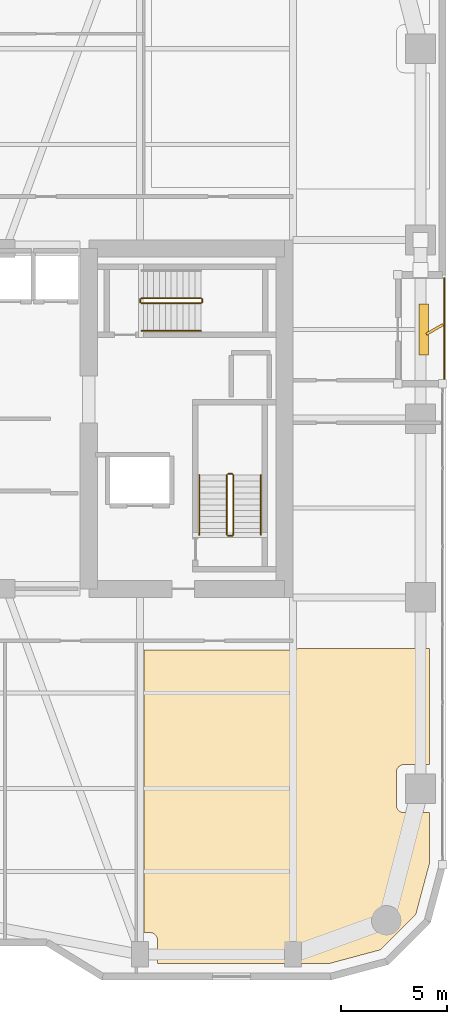
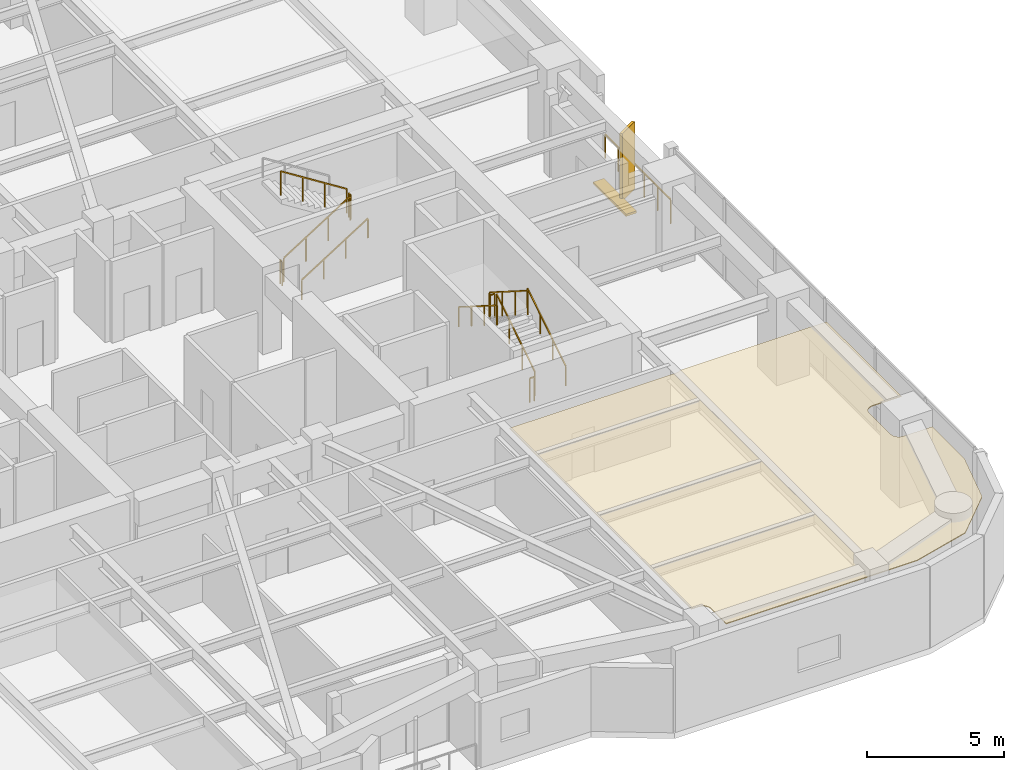
# One storey, part 23 of 24: 12 railings, 2 shading devices, 1 covering.
"""IFC4 building model written with IfcOpenShell, lengths in metres."""

from ifc_helpers import new_model, si_unit, direction, frame, origin, origin_2d, place, context, subcontext, project, spatial, polyline, rectangle, outline, extrude, material, layer, layer_set, type_object, element, save


model = new_model("IFC4")

# Units and contexts
model_context = context("Model", 3, precision=1e-05, world=origin(), true_north=direction((0.0, 1.0)))
body_context = subcontext(model_context, "Body", "Model", "MODEL_VIEW")
ifc_project = project(units=[si_unit("LENGTHUNIT", "METRE"), si_unit("AREAUNIT", "SQUARE_METRE"), si_unit("VOLUMEUNIT", "CUBIC_METRE"), si_unit("PLANEANGLEUNIT", "RADIAN"), si_unit("MASSUNIT", "GRAM", prefix="KILO")], contexts=[model_context])

# Site, building, storey
site_placement = place(None, origin())
site = spatial("IfcSite", under=ifc_project, at=site_placement, CompositionType="ELEMENT")
building_placement = place(site_placement, origin())
building = spatial("IfcBuilding", under=site, at=building_placement, Name="Kiyonajd Concourse Tower", CompositionType="ELEMENT")
storey_placement = place(building_placement, frame((0.0, 0.0, 137.699951171875)))
storey = spatial("IfcBuildingStorey", under=building, at=storey_placement, Name="L35", CompositionType="ELEMENT", Elevation=137.699951171875)

# Covering
ifc_material_1 = material(Name="Natural Oak Acoustic Timber Veneer", Category="wood")
ifc_layer = layer(ifc_material_1, 0.0400390625)
ifc_layer_set = layer_set([ifc_layer], Name="Natural Oak Acoustic Timber Veneer")
covering_type = type_object("IfcCoveringType", Name="CV-CLG-ACST", PredefinedType="CEILING", material=ifc_layer_set)
covering_placement = place(storey_placement, frame((0.0, 0.0, 3.4599609375)))
element("IfcCovering", 1, at=covering_placement, inside=storey, type_object=covering_type, Name="L35-43 Room Acoustic Ceiling", PredefinedType="CEILING", context=body_context, shape_type="SweptSolid", body=[
    extrude(outline(polyline([(57.22998046875, 10.3701171875), (57.22998046875, 11.47998046875), (57.222900390625, 11.548095703125), (57.202880859375, 11.614013671875), (57.1708984375, 11.674072265625), (57.126953125, 11.72705078125), (57.073974609375, 11.77099609375), (57.013916015625, 11.802978515625), (56.9140625, 11.827880859375), (56.60009765625, 11.830078125), (56.60009765625, 25.1201171875), (63.60009765625, 25.1201171875), (63.72998046875, 25.139892578125), (63.79296875, 25.166015625), (63.847900390625, 25.199951171875), (70.030029296875, 25.199951171875), (70.030029296875, 19.72998046875), (68.820068359375, 19.72998046875), (68.751953125, 19.722900390625), (68.655029296875, 19.68896484375), (68.572998046875, 19.626953125), (68.510986328125, 19.544921875), (68.485107421875, 19.48193359375), (68.471923828125, 19.4140625), (68.469970703125, 17.820068359375), (68.485107421875, 17.718017578125), (68.510986328125, 17.655029296875), (68.549072265625, 17.597900390625), (68.597900390625, 17.549072265625), (68.655029296875, 17.510986328125), (68.718017578125, 17.485107421875), (68.785888671875, 17.471923828125), (70.030029296875, 17.469970703125), (70.030029296875, 15.10107421875), (69.385986328125, 12.697998046875), (67.701904296875, 11.013916015625), (65.299072265625, 10.3701171875), (57.22998046875, 10.3701171875)])), origin(), (0.0, 0.0, 1.0), 0.0400390625),
])

# Railings
ifc_material_2 = material(Name="Thermally Broken Anodised Aluminium", Category="aluminium")
railing_type_1 = type_object("IfcRailingType", Name="RL-GRD-LOG", PredefinedType="GUARDRAIL", material=ifc_material_2)
railing_1_placement = place(storey_placement, frame((70.719970703125, 37.800048828125, 0.0)))
element("IfcRailing", 2, at=railing_1_placement, inside=storey, type_object=railing_type_1, Name="L35 Engawa Loggia Perimeter Guard LOG-E", PredefinedType="GUARDRAIL", context=body_context, shape_type="SweptSolid", body=[
    extrude(rectangle(XDim=0.048095703125, YDim=0.048095703125, at=origin_2d()), frame((0.0, 0.0, 1.076171875), z_axis=(0.0, 1.0, 0.0), x_axis=(-1.0, 0.0, 0.0)), (0.0, 0.0, 1.0), 4.800048828125),
    extrude(rectangle(XDim=0.0419921875, YDim=0.0419921875, at=origin_2d()), origin(), (0.0, 0.0, 1.0), 1.052001953125),
    extrude(rectangle(XDim=0.0419921875, YDim=0.0419921875, at=origin_2d()), frame((0.0, 0.9599609375, 0.0)), (0.0, 0.0, 1.0), 1.052001953125),
    extrude(rectangle(XDim=0.0419921875, YDim=0.0419921875, at=origin_2d()), frame((0.0, 1.919921875, 0.0)), (0.0, 0.0, 1.0), 1.052001953125),
    extrude(rectangle(XDim=0.0419921875, YDim=0.0419921875, at=origin_2d()), frame((0.0, 2.880126953125, 0.0)), (0.0, 0.0, 1.0), 1.052001953125),
    extrude(rectangle(XDim=0.0419921875, YDim=0.0419921875, at=origin_2d()), frame((0.0, 3.840087890625, 0.0)), (0.0, 0.0, 1.0), 1.052001953125),
    extrude(rectangle(XDim=0.0419921875, YDim=0.0419921875, at=origin_2d()), frame((0.0, 4.800048828125, 0.0)), (0.0, 0.0, 1.0), 1.052001953125),
])
ifc_material_3 = material(Name="Steel ASTM A500 Grade C", Category="steel")
railing_type_2 = type_object("IfcRailingType", Name="RL-GRD-STR", PredefinedType="GUARDRAIL", material=ifc_material_3)
railing_2_placement = place(storey_placement, frame((60.800048828125, 30.550048828125, 0.17724609375)))
element("IfcRailing", 3, at=railing_2_placement, inside=storey, type_object=railing_type_2, Name="L35 ST2 stair guard 1", PredefinedType="GUARDRAIL", context=body_context, shape_type="SweptSolid", body=[
    extrude(rectangle(XDim=0.048095703125, YDim=0.048095703125, at=origin_2d()), frame((0.0, 0.0, 1.076171875), z_axis=(0.0, 0.844908973607, 0.534910110503), x_axis=(-1.0, 0.0, 0.0)), (0.0, 0.0, 1.0), 3.31396484375),
    extrude(rectangle(XDim=0.0419921875, YDim=0.0419921875, at=origin_2d()), origin(), (0.0, 0.0, 1.0), 1.052001953125),
    extrude(rectangle(XDim=0.0419921875, YDim=0.0419921875, at=origin_2d()), frame((0.0, 0.933349609375, 0.5908203125)), (0.0, 0.0, 1.0), 1.052001953125),
    extrude(rectangle(XDim=0.0419921875, YDim=0.0419921875, at=origin_2d()), frame((0.0, 1.86669921875, 1.181884765625)), (0.0, 0.0, 1.0), 1.052001953125),
    extrude(rectangle(XDim=0.0419921875, YDim=0.0419921875, at=origin_2d()), frame((0.0, 2.800048828125, 1.772705078125)), (0.0, 0.0, 1.0), 1.052001953125),
])
railing_3_placement = place(storey_placement, frame((60.75, 33.39990234375, 1.949951171875)))
element("IfcRailing", 4, at=railing_3_placement, inside=storey, type_object=railing_type_2, Name="L35 ST2 stair guard 2", PredefinedType="GUARDRAIL", context=body_context, shape_type="SweptSolid", body=[
    extrude(rectangle(XDim=0.048095703125, YDim=0.048095703125, at=origin_2d()), frame((0.0, 0.0, 1.076171875), z_axis=(-1.0, 0.0, 0.0), x_axis=(0.0, -1.0, 0.0)), (0.0, 0.0, 1.0), 0.199951171875),
    extrude(rectangle(XDim=0.0419921875, YDim=0.0419921875, at=origin_2d()), origin(), (0.0, 0.0, 1.0), 1.052001953125),
    extrude(rectangle(XDim=0.0419921875, YDim=0.0419921875, at=origin_2d()), frame((-0.199951171875, 0.0, 0.0)), (0.0, 0.0, 1.0), 1.052001953125),
])
railing_4_placement = place(storey_placement, frame((60.5, 33.35009765625, 2.12744140625)))
element("IfcRailing", 5, at=railing_4_placement, inside=storey, type_object=railing_type_2, Name="L35 ST2 stair guard 3", PredefinedType="GUARDRAIL", context=body_context, shape_type="SweptSolid", body=[
    extrude(rectangle(XDim=0.048095703125, YDim=0.048095703125, at=origin_2d()), frame((0.0, 0.0, 1.076171875), z_axis=(0.0, -0.844908973607, 0.534910110503), x_axis=(1.0, 0.0, 0.0)), (0.0, 0.0, 1.0), 3.31396484375),
    extrude(rectangle(XDim=0.0419921875, YDim=0.0419921875, at=origin_2d()), origin(), (0.0, 0.0, 1.0), 1.052001953125),
    extrude(rectangle(XDim=0.0419921875, YDim=0.0419921875, at=origin_2d()), frame((0.0, -0.933349609375, 0.5908203125)), (0.0, 0.0, 1.0), 1.052001953125),
    extrude(rectangle(XDim=0.0419921875, YDim=0.0419921875, at=origin_2d()), frame((0.0, -1.86669921875, 1.181884765625)), (0.0, 0.0, 1.0), 1.052001953125),
    extrude(rectangle(XDim=0.0419921875, YDim=0.0419921875, at=origin_2d()), frame((0.0, -2.800048828125, 1.772705078125)), (0.0, 0.0, 1.0), 1.052001953125),
])
railing_5_placement = place(storey_placement, frame((60.75, 30.5, 0.0)))
element("IfcRailing", 6, at=railing_5_placement, inside=storey, type_object=railing_type_2, Name="L35 ST2 stair guard 4", PredefinedType="GUARDRAIL", context=body_context, shape_type="SweptSolid", body=[
    extrude(rectangle(XDim=0.048095703125, YDim=0.048095703125, at=origin_2d()), frame((0.0, 0.0, 1.076171875), z_axis=(-1.0, 0.0, 0.0), x_axis=(0.0, -1.0, 0.0)), (0.0, 0.0, 1.0), 0.199951171875),
    extrude(rectangle(XDim=0.0419921875, YDim=0.0419921875, at=origin_2d()), origin(), (0.0, 0.0, 1.0), 1.052001953125),
    extrude(rectangle(XDim=0.0419921875, YDim=0.0419921875, at=origin_2d()), frame((-0.199951171875, 0.0, 0.0)), (0.0, 0.0, 1.0), 1.052001953125),
])
railing_6_placement = place(storey_placement, frame((56.47998046875, 41.429931640625, 0.17724609375)))
element("IfcRailing", 7, at=railing_6_placement, inside=storey, type_object=railing_type_2, Name="L35 ST3 stair guard 1", PredefinedType="GUARDRAIL", context=body_context, shape_type="SweptSolid", body=[
    extrude(rectangle(XDim=0.048095703125, YDim=0.048095703125, at=origin_2d()), frame((0.0, 0.0, 1.076171875), z_axis=(0.844908973607, 0.0, 0.534910110503), x_axis=(0.0, 1.0, 0.0)), (0.0, 0.0, 1.0), 3.31396484375),
    extrude(rectangle(XDim=0.0419921875, YDim=0.0419921875, at=origin_2d()), origin(), (0.0, 0.0, 1.0), 1.052001953125),
    extrude(rectangle(XDim=0.0419921875, YDim=0.0419921875, at=origin_2d()), frame((0.933349609375, 0.0, 0.5908203125)), (0.0, 0.0, 1.0), 1.052001953125),
    extrude(rectangle(XDim=0.0419921875, YDim=0.0419921875, at=origin_2d()), frame((1.86669921875, 0.0, 1.181884765625)), (0.0, 0.0, 1.0), 1.052001953125),
    extrude(rectangle(XDim=0.0419921875, YDim=0.0419921875, at=origin_2d()), frame((2.800048828125, 0.0, 1.772705078125)), (0.0, 0.0, 1.0), 1.052001953125),
])
railing_7_placement = place(storey_placement, frame((59.330078125, 41.47998046875, 1.949951171875)))
element("IfcRailing", 8, at=railing_7_placement, inside=storey, type_object=railing_type_2, Name="L35 ST3 stair guard 2", PredefinedType="GUARDRAIL", context=body_context, shape_type="SweptSolid", body=[
    extrude(rectangle(XDim=0.048095703125, YDim=0.048095703125, at=origin_2d()), frame((0.0, 0.0, 1.076171875), z_axis=(0.0, 1.0, 0.0), x_axis=(-1.0, 0.0, 0.0)), (0.0, 0.0, 1.0), 0.14013671875),
    extrude(rectangle(XDim=0.0419921875, YDim=0.0419921875, at=origin_2d()), origin(), (0.0, 0.0, 1.0), 1.052001953125),
    extrude(rectangle(XDim=0.0419921875, YDim=0.0419921875, at=origin_2d()), frame((0.0, 0.14013671875, 0.0)), (0.0, 0.0, 1.0), 1.052001953125),
])
railing_8_placement = place(storey_placement, frame((59.280029296875, 41.669921875, 2.12744140625)))
element("IfcRailing", 9, at=railing_8_placement, inside=storey, type_object=railing_type_2, Name="L35 ST3 stair guard 3", PredefinedType="GUARDRAIL", context=body_context, shape_type="SweptSolid", body=[
    extrude(rectangle(XDim=0.048095703125, YDim=0.048095703125, at=origin_2d()), frame((0.0, 0.0, 1.076171875), z_axis=(-0.844908973607, 0.0, 0.534910110503), x_axis=(0.0, -1.0, 0.0)), (0.0, 0.0, 1.0), 3.31396484375),
    extrude(rectangle(XDim=0.0419921875, YDim=0.0419921875, at=origin_2d()), origin(), (0.0, 0.0, 1.0), 1.052001953125),
    extrude(rectangle(XDim=0.0419921875, YDim=0.0419921875, at=origin_2d()), frame((-0.933349609375, 0.0, 0.5908203125)), (0.0, 0.0, 1.0), 1.052001953125),
    extrude(rectangle(XDim=0.0419921875, YDim=0.0419921875, at=origin_2d()), frame((-1.86669921875, 0.0, 1.181884765625)), (0.0, 0.0, 1.0), 1.052001953125),
    extrude(rectangle(XDim=0.0419921875, YDim=0.0419921875, at=origin_2d()), frame((-2.800048828125, 0.0, 1.772705078125)), (0.0, 0.0, 1.0), 1.052001953125),
])
railing_9_placement = place(storey_placement, frame((56.429931640625, 41.47998046875, 0.0)))
element("IfcRailing", 10, at=railing_9_placement, inside=storey, type_object=railing_type_2, Name="L35 ST3 stair guard 4", PredefinedType="GUARDRAIL", context=body_context, shape_type="SweptSolid", body=[
    extrude(rectangle(XDim=0.048095703125, YDim=0.048095703125, at=origin_2d()), frame((0.0, 0.0, 1.076171875), z_axis=(0.0, 1.0, 0.0), x_axis=(-1.0, 0.0, 0.0)), (0.0, 0.0, 1.0), 0.14013671875),
    extrude(rectangle(XDim=0.0419921875, YDim=0.0419921875, at=origin_2d()), origin(), (0.0, 0.0, 1.0), 1.052001953125),
    extrude(rectangle(XDim=0.0419921875, YDim=0.0419921875, at=origin_2d()), frame((0.0, 0.14013671875, 0.0)), (0.0, 0.0, 1.0), 1.052001953125),
])
ifc_material_4 = material(Name="Brushed Stainless Steel Cab Assembly", Category="steel")
railing_type_3 = type_object("IfcRailingType", Name="RL-HND-900", PredefinedType="HANDRAIL", material=ifc_material_4)
railing_10_placement = place(storey_placement, frame((62.10009765625, 30.550048828125, 0.17724609375)))
element("IfcRailing", 11, at=railing_10_placement, inside=storey, type_object=railing_type_3, Name="L35 ST2 stair handrail 1", PredefinedType="HANDRAIL", context=body_context, shape_type="SweptSolid", body=[
    extrude(rectangle(XDim=0.048095703125, YDim=0.048095703125, at=origin_2d()), frame((0.0, 0.0, 0.8759765625), z_axis=(0.0, 0.844908973607, 0.534910110503), x_axis=(-1.0, 0.0, 0.0)), (0.0, 0.0, 1.0), 3.31396484375),
    extrude(rectangle(XDim=0.0419921875, YDim=0.0419921875, at=origin_2d()), origin(), (0.0, 0.0, 1.0), 0.851806640625),
    extrude(rectangle(XDim=0.0419921875, YDim=0.0419921875, at=origin_2d()), frame((0.0, 0.933349609375, 0.5908203125)), (0.0, 0.0, 1.0), 0.851806640625),
    extrude(rectangle(XDim=0.0419921875, YDim=0.0419921875, at=origin_2d()), frame((0.0, 1.86669921875, 1.181884765625)), (0.0, 0.0, 1.0), 0.851806640625),
    extrude(rectangle(XDim=0.0419921875, YDim=0.0419921875, at=origin_2d()), frame((0.0, 2.800048828125, 1.772705078125)), (0.0, 0.0, 1.0), 0.851806640625),
])
railing_11_placement = place(storey_placement, frame((59.199951171875, 33.35009765625, 2.12744140625)))
element("IfcRailing", 12, at=railing_11_placement, inside=storey, type_object=railing_type_3, Name="L35 ST2 stair handrail 2", PredefinedType="HANDRAIL", context=body_context, shape_type="SweptSolid", body=[
    extrude(rectangle(XDim=0.048095703125, YDim=0.048095703125, at=origin_2d()), frame((0.0, 0.0, 0.8759765625), z_axis=(0.0, -0.844908973607, 0.534910110503), x_axis=(1.0, 0.0, 0.0)), (0.0, 0.0, 1.0), 3.31396484375),
    extrude(rectangle(XDim=0.0419921875, YDim=0.0419921875, at=origin_2d()), origin(), (0.0, 0.0, 1.0), 0.851806640625),
    extrude(rectangle(XDim=0.0419921875, YDim=0.0419921875, at=origin_2d()), frame((0.0, -0.933349609375, 0.5908203125)), (0.0, 0.0, 1.0), 0.851806640625),
    extrude(rectangle(XDim=0.0419921875, YDim=0.0419921875, at=origin_2d()), frame((0.0, -1.86669921875, 1.181884765625)), (0.0, 0.0, 1.0), 0.851806640625),
    extrude(rectangle(XDim=0.0419921875, YDim=0.0419921875, at=origin_2d()), frame((0.0, -2.800048828125, 1.772705078125)), (0.0, 0.0, 1.0), 0.851806640625),
])
railing_12_placement = place(storey_placement, frame((56.47998046875, 40.1298828125, 0.17724609375)))
element("IfcRailing", 13, at=railing_12_placement, inside=storey, type_object=railing_type_3, Name="L35 ST3 stair handrail 1", PredefinedType="HANDRAIL", context=body_context, shape_type="SweptSolid", body=[
    extrude(rectangle(XDim=0.048095703125, YDim=0.048095703125, at=origin_2d()), frame((0.0, 0.0, 0.8759765625), z_axis=(0.844908973607, 0.0, 0.534910110503), x_axis=(0.0, 1.0, 0.0)), (0.0, 0.0, 1.0), 3.31396484375),
    extrude(rectangle(XDim=0.0419921875, YDim=0.0419921875, at=origin_2d()), origin(), (0.0, 0.0, 1.0), 0.851806640625),
    extrude(rectangle(XDim=0.0419921875, YDim=0.0419921875, at=origin_2d()), frame((0.933349609375, 0.0, 0.5908203125)), (0.0, 0.0, 1.0), 0.851806640625),
    extrude(rectangle(XDim=0.0419921875, YDim=0.0419921875, at=origin_2d()), frame((1.86669921875, 0.0, 1.181884765625)), (0.0, 0.0, 1.0), 0.851806640625),
    extrude(rectangle(XDim=0.0419921875, YDim=0.0419921875, at=origin_2d()), frame((2.800048828125, 0.0, 1.772705078125)), (0.0, 0.0, 1.0), 0.851806640625),
])

# Shading devices
ifc_material_5 = material(Name="Precast concrete C50/60", Category="concrete")
shading_device_type_1 = type_object("IfcShadingDeviceType", Name="SH-FIN-900", PredefinedType="USERDEFINED", material=ifc_material_5)
shading_device_1_placement = place(storey_placement, frame((70.27001953125, 40.199951171875, 0.0), z_axis=(0.0, 0.0, 1.0), x_axis=(0.866025403784, 0.5, 0.0)))
element("IfcShadingDevice", 14, at=shading_device_1_placement, inside=storey, type_object=shading_device_type_1, Name="L35 Angled Koshi Solar Fin LOG-E", ObjectType="FIN", PredefinedType="USERDEFINED", context=body_context, shape_type="SweptSolid", body=[
    extrude(rectangle(XDim=0.89990234375, YDim=0.1201171875, at=origin_2d()), origin(), (0.0, 0.0, 1.0), 3.0),
])
shading_device_type_2 = type_object("IfcShadingDeviceType", Name="SH-LVR-600", PredefinedType="JALOUSIE", material=ifc_material_2)
shading_device_2_placement = place(storey_placement, frame((69.75, 40.199951171875, 0.0), z_axis=(0.0, 0.0, 1.0), x_axis=(0.0, 1.0, 0.0)))
element("IfcShadingDevice", 15, at=shading_device_2_placement, inside=storey, type_object=shading_device_type_2, Name="L35 Loggia Threshold Louver LOG-E", PredefinedType="JALOUSIE", context=body_context, shape_type="SweptSolid", body=[
    extrude(rectangle(XDim=2.39990234375, YDim=0.449951171875, at=origin_2d()), origin(), (0.0, 0.0, 1.0), 0.10009765625),
])

save(model, "model.ifc")
